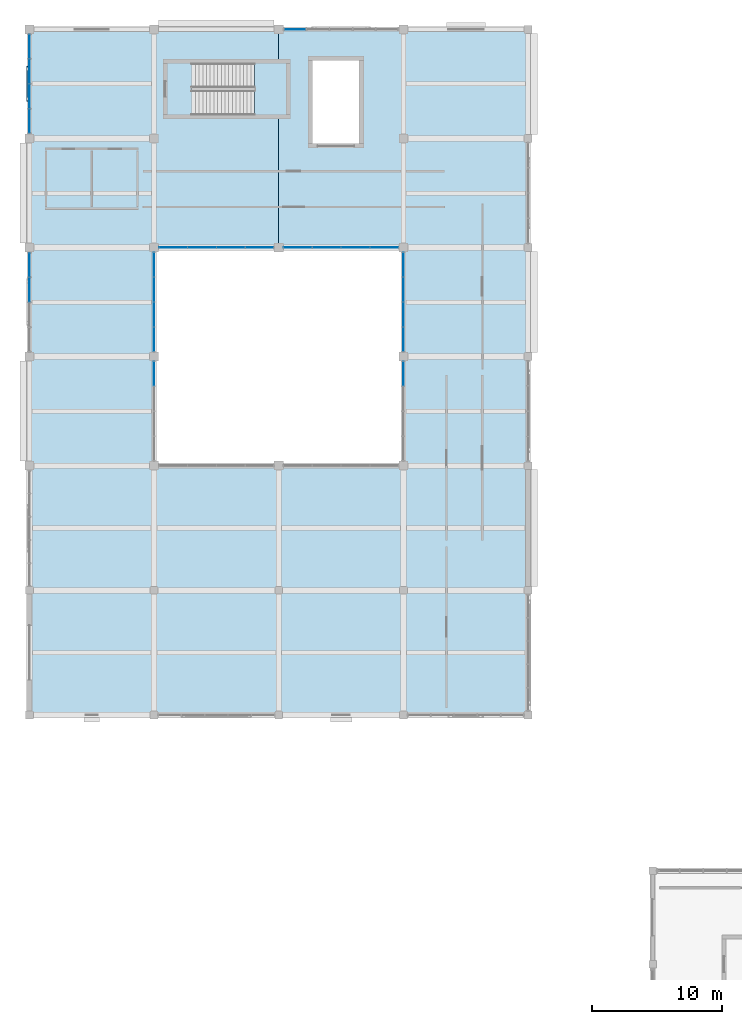
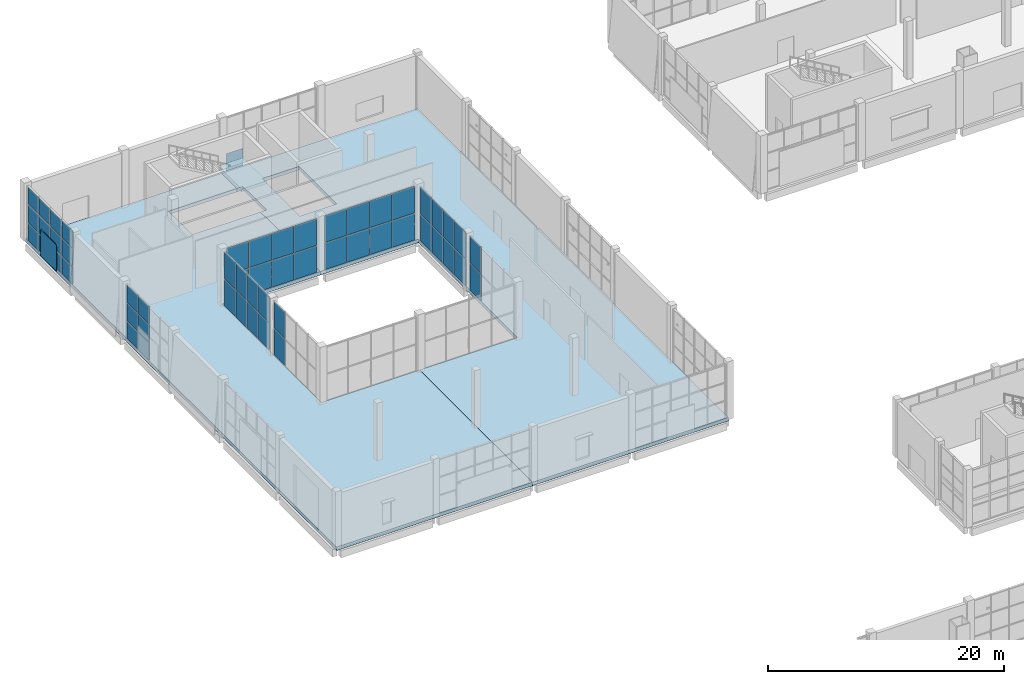
# One storey, part 47 of 84: 56 plates, 3 slabs, 10 elements without a shape of their own.
"""IFC4 building model written with IfcOpenShell, lengths in metres."""

from ifc_helpers import new_model, si_unit, direction, frame, origin, origin_2d, place, context, subcontext, project, spatial, polyline, rectangle, outline, extrude, material, layer, layer_set, type_object, element, aggregate, save


model = new_model("IFC4")

# Units and contexts
model_context = context("Model", 3, precision=1e-05, world=origin(), true_north=direction((0.0, 1.0)))
body_context = subcontext(model_context, "Body", "Model", "MODEL_VIEW")
ifc_project = project(units=[si_unit("LENGTHUNIT", "METRE"), si_unit("AREAUNIT", "SQUARE_METRE"), si_unit("VOLUMEUNIT", "CUBIC_METRE"), si_unit("PLANEANGLEUNIT", "RADIAN"), si_unit("MASSUNIT", "GRAM", prefix="KILO")], contexts=[model_context])

# Site, building, storey
site_placement = place(None, origin())
site = spatial("IfcSite", under=ifc_project, at=site_placement, CompositionType="ELEMENT")
building_placement = place(site_placement, origin())
building = spatial("IfcBuilding", under=site, at=building_placement, Name="Shalvenor Court Art Gallery", CompositionType="ELEMENT")
storey_placement = place(building_placement, origin())
storey = spatial("IfcBuildingStorey", under=building, at=storey_placement, Name="L00", CompositionType="ELEMENT", Elevation=0.0)

# Curtain wall, plate
ifc_material_1 = material(Name="Anodised aluminium and low-iron glass curtain wall", Category="aluminium")
curtain_wall_type_1 = type_object("IfcCurtainWallType", Name="CW-5x3-89-57-411", PredefinedType="USERDEFINED", material=ifc_material_1)
curtain_wall_1_placement = place(storey_placement, origin())
curtain_wall_1 = element("IfcCurtainWall", 1, at=curtain_wall_1_placement, inside=storey, type_object=curtain_wall_type_1, Name="L00 V5 Curtain Wall CW-L00-150", ObjectType="CURTAIN WALL", PredefinedType="USERDEFINED")
ifc_material_2 = material(Name="Low-iron UV-laminated double glazing IGU", Category="glass")
ifc_layer_1 = layer(ifc_material_2, 0.028076171875, Name="Low-iron UV-laminated double glazing IGU")
ifc_layer_set_1 = layer_set([ifc_layer_1], Name="Low-iron UV-laminated double glazing IGU")
plate_type_1 = type_object("IfcPlateType", Name="CWP-01", PredefinedType="CURTAIN_PANEL", material=ifc_layer_set_1)
plate_1_placement = place(storey_placement, frame((20.458740234375, 122.39990234375, 0.06005859375), z_axis=(0.0, 0.0, 1.0), x_axis=(1.0, 0.0, 0.0)))
plate_1 = element("IfcPlate", 2, at=plate_1_placement, type_object=plate_type_1, Name="CW-5x3-89-57-411 panel 1.1", PredefinedType="CURTAIN_PANEL", context=body_context, shape_type="SweptSolid", body=[
    extrude(rectangle(XDim=1.66748046875, YDim=0.028076171875, at=origin_2d()), origin(), (0.0, 0.0, 1.0), 1.80322265625),
])
aggregate(curtain_wall_1, [plate_1])

# Curtain wall, plates
ifc_material_3 = material(Name="Anodised aluminium and low-iron glass curtain wall", Category="aluminium")
curtain_wall_type_2 = type_object("IfcCurtainWallType", Name="CW-4x3-77-57-221", PredefinedType="USERDEFINED", material=ifc_material_3)
curtain_wall_2_placement = place(storey_placement, origin())
curtain_wall_2 = element("IfcCurtainWall", 3, at=curtain_wall_2_placement, inside=storey, type_object=curtain_wall_type_2, Name="L00 V5 Curtain Wall CW-L00-157", ObjectType="CURTAIN WALL", PredefinedType="USERDEFINED")
plate_2_placement = place(storey_placement, frame((0.0, 102.362548828125, 0.06494140625), z_axis=(0.0, 0.0, 1.0), x_axis=(0.0, 1.0, 0.0)))
plate_2 = element("IfcPlate", 4, at=plate_2_placement, type_object=plate_type_1, Name="CW-4x3-77-57-221 panel 3.1", PredefinedType="CURTAIN_PANEL", context=body_context, shape_type="SweptSolid", body=[
    extrude(rectangle(XDim=1.85498046875, YDim=0.028076171875, at=origin_2d()), origin(), (0.0, 0.0, 1.0), 1.7958984375),
])
plate_3_placement = place(storey_placement, frame((0.0, 102.362548828125, 1.92578125), z_axis=(0.0, 0.0, 1.0), x_axis=(0.0, 1.0, 0.0)))
plate_3 = element("IfcPlate", 5, at=plate_3_placement, type_object=plate_type_1, Name="CW-4x3-77-57-221 panel 3.2", PredefinedType="CURTAIN_PANEL", context=body_context, shape_type="SweptSolid", body=[
    extrude(rectangle(XDim=1.85498046875, YDim=0.028076171875, at=origin_2d()), origin(), (0.0, 0.0, 1.0), 1.828369140625),
])
plate_4_placement = place(storey_placement, frame((0.0, 102.362548828125, 3.819091796875), z_axis=(0.0, 0.0, 1.0), x_axis=(0.0, 1.0, 0.0)))
plate_4 = element("IfcPlate", 6, at=plate_4_placement, type_object=plate_type_1, Name="CW-4x3-77-57-221 panel 3.3", PredefinedType="CURTAIN_PANEL", context=body_context, shape_type="SweptSolid", body=[
    extrude(rectangle(XDim=1.85498046875, YDim=0.028076171875, at=origin_2d()), origin(), (0.0, 0.0, 1.0), 1.7958984375),
])
plate_5_placement = place(storey_placement, frame((0.0, 104.27001953125, 0.06494140625), z_axis=(0.0, 0.0, 1.0), x_axis=(0.0, 1.0, 0.0)))
plate_5 = element("IfcPlate", 7, at=plate_5_placement, type_object=plate_type_1, Name="CW-4x3-77-57-221 panel 4.1", PredefinedType="CURTAIN_PANEL", context=body_context, shape_type="SweptSolid", body=[
    extrude(rectangle(XDim=1.820068359375, YDim=0.028076171875, at=origin_2d()), origin(), (0.0, 0.0, 1.0), 1.7958984375),
])
plate_6_placement = place(storey_placement, frame((0.0, 104.27001953125, 1.92578125), z_axis=(0.0, 0.0, 1.0), x_axis=(0.0, 1.0, 0.0)))
plate_6 = element("IfcPlate", 8, at=plate_6_placement, type_object=plate_type_1, Name="CW-4x3-77-57-221 panel 4.2", PredefinedType="CURTAIN_PANEL", context=body_context, shape_type="SweptSolid", body=[
    extrude(rectangle(XDim=1.820068359375, YDim=0.028076171875, at=origin_2d()), origin(), (0.0, 0.0, 1.0), 1.828369140625),
])
plate_7_placement = place(storey_placement, frame((0.0, 104.27001953125, 3.819091796875), z_axis=(0.0, 0.0, 1.0), x_axis=(0.0, 1.0, 0.0)))
plate_7 = element("IfcPlate", 9, at=plate_7_placement, type_object=plate_type_1, Name="CW-4x3-77-57-221 panel 4.3", PredefinedType="CURTAIN_PANEL", context=body_context, shape_type="SweptSolid", body=[
    extrude(rectangle(XDim=1.820068359375, YDim=0.028076171875, at=origin_2d()), origin(), (0.0, 0.0, 1.0), 1.7958984375),
])
aggregate(curtain_wall_2, [plate_2, plate_3, plate_4, plate_5, plate_6, plate_7])

ifc_material_4 = material(Name="Anodised aluminium and low-iron glass curtain wall", Category="aluminium")
curtain_wall_type_3 = type_object("IfcCurtainWallType", Name="CW-4x3-77-57-441", PredefinedType="USERDEFINED", material=ifc_material_4)
curtain_wall_3_placement = place(storey_placement, origin())
curtain_wall_3 = element("IfcCurtainWall", 10, at=curtain_wall_3_placement, inside=storey, type_object=curtain_wall_type_3, Name="L00 V5 Curtain Wall CW-L00-158", ObjectType="CURTAIN WALL", PredefinedType="USERDEFINED")
plate_8_placement = place(storey_placement, frame((0.0, 115.331298828125, 0.06982421875), z_axis=(0.0, 0.0, 1.0), x_axis=(0.0, 1.0, 0.0)))
plate_8 = element("IfcPlate", 11, at=plate_8_placement, type_object=plate_type_1, Name="CW-4x3-77-57-441 panel 1.1", PredefinedType="CURTAIN_PANEL", context=body_context, shape_type="SweptSolid", body=[
    extrude(rectangle(XDim=1.8125, YDim=0.028076171875, at=origin_2d()), origin(), (0.0, 0.0, 1.0), 1.788330078125),
])
plate_9_placement = place(storey_placement, frame((0.0, 115.331298828125, 1.928466796875), z_axis=(0.0, 0.0, 1.0), x_axis=(0.0, 1.0, 0.0)))
plate_9 = element("IfcPlate", 12, at=plate_9_placement, type_object=plate_type_1, Name="CW-4x3-77-57-441 panel 1.2", PredefinedType="CURTAIN_PANEL", context=body_context, shape_type="SweptSolid", body=[
    extrude(rectangle(XDim=1.8125, YDim=0.028076171875, at=origin_2d()), origin(), (0.0, 0.0, 1.0), 1.8232421875),
])
plate_10_placement = place(storey_placement, frame((0.0, 115.331298828125, 3.82177734375), z_axis=(0.0, 0.0, 1.0), x_axis=(0.0, 1.0, 0.0)))
plate_10 = element("IfcPlate", 13, at=plate_10_placement, type_object=plate_type_1, Name="CW-4x3-77-57-441 panel 1.3", PredefinedType="CURTAIN_PANEL", context=body_context, shape_type="SweptSolid", body=[
    extrude(rectangle(XDim=1.8125, YDim=0.028076171875, at=origin_2d()), origin(), (0.0, 0.0, 1.0), 1.788330078125),
])
plate_11_placement = place(storey_placement, frame((0.0, 117.237548828125, 0.06982421875), z_axis=(0.0, 0.0, 1.0), x_axis=(0.0, 1.0, 0.0)))
plate_11 = element("IfcPlate", 14, at=plate_11_placement, type_object=plate_type_1, Name="CW-4x3-77-57-441 panel 2.1", PredefinedType="CURTAIN_PANEL", context=body_context, shape_type="SweptSolid", body=[
    extrude(rectangle(XDim=1.85009765625, YDim=0.028076171875, at=origin_2d()), origin(), (0.0, 0.0, 1.0), 1.788330078125),
])
plate_12_placement = place(storey_placement, frame((0.0, 117.237548828125, 1.928466796875), z_axis=(0.0, 0.0, 1.0), x_axis=(0.0, 1.0, 0.0)))
plate_12 = element("IfcPlate", 15, at=plate_12_placement, type_object=plate_type_1, Name="CW-4x3-77-57-441 panel 2.2", PredefinedType="CURTAIN_PANEL", context=body_context, shape_type="SweptSolid", body=[
    extrude(rectangle(XDim=1.85009765625, YDim=0.028076171875, at=origin_2d()), origin(), (0.0, 0.0, 1.0), 1.8232421875),
])
plate_13_placement = place(storey_placement, frame((0.0, 117.237548828125, 3.82177734375), z_axis=(0.0, 0.0, 1.0), x_axis=(0.0, 1.0, 0.0)))
plate_13 = element("IfcPlate", 16, at=plate_13_placement, type_object=plate_type_1, Name="CW-4x3-77-57-441 panel 2.3", PredefinedType="CURTAIN_PANEL", context=body_context, shape_type="SweptSolid", body=[
    extrude(rectangle(XDim=1.85009765625, YDim=0.028076171875, at=origin_2d()), origin(), (0.0, 0.0, 1.0), 1.788330078125),
])
plate_14_placement = place(storey_placement, frame((0.0, 119.16259765625, 0.06982421875), z_axis=(0.0, 0.0, 1.0), x_axis=(0.0, 1.0, 0.0)))
plate_14 = element("IfcPlate", 17, at=plate_14_placement, type_object=plate_type_1, Name="CW-4x3-77-57-441 panel 3.1", PredefinedType="CURTAIN_PANEL", context=body_context, shape_type="SweptSolid", body=[
    extrude(rectangle(XDim=1.85009765625, YDim=0.028076171875, at=origin_2d()), origin(), (0.0, 0.0, 1.0), 1.788330078125),
])
plate_15_placement = place(storey_placement, frame((0.0, 119.16259765625, 1.928466796875), z_axis=(0.0, 0.0, 1.0), x_axis=(0.0, 1.0, 0.0)))
plate_15 = element("IfcPlate", 18, at=plate_15_placement, type_object=plate_type_1, Name="CW-4x3-77-57-441 panel 3.2", PredefinedType="CURTAIN_PANEL", context=body_context, shape_type="SweptSolid", body=[
    extrude(rectangle(XDim=1.85009765625, YDim=0.028076171875, at=origin_2d()), origin(), (0.0, 0.0, 1.0), 1.8232421875),
])
plate_16_placement = place(storey_placement, frame((0.0, 119.16259765625, 3.82177734375), z_axis=(0.0, 0.0, 1.0), x_axis=(0.0, 1.0, 0.0)))
plate_16 = element("IfcPlate", 19, at=plate_16_placement, type_object=plate_type_1, Name="CW-4x3-77-57-441 panel 3.3", PredefinedType="CURTAIN_PANEL", context=body_context, shape_type="SweptSolid", body=[
    extrude(rectangle(XDim=1.85009765625, YDim=0.028076171875, at=origin_2d()), origin(), (0.0, 0.0, 1.0), 1.788330078125),
])
plate_17_placement = place(storey_placement, frame((0.0, 121.06884765625, 0.06982421875), z_axis=(0.0, 0.0, 1.0), x_axis=(0.0, 1.0, 0.0)))
plate_17 = element("IfcPlate", 20, at=plate_17_placement, type_object=plate_type_1, Name="CW-4x3-77-57-441 panel 4.1", PredefinedType="CURTAIN_PANEL", context=body_context, shape_type="SweptSolid", body=[
    extrude(rectangle(XDim=1.8125, YDim=0.028076171875, at=origin_2d()), origin(), (0.0, 0.0, 1.0), 1.788330078125),
])
plate_18_placement = place(storey_placement, frame((0.0, 121.06884765625, 1.928466796875), z_axis=(0.0, 0.0, 1.0), x_axis=(0.0, 1.0, 0.0)))
plate_18 = element("IfcPlate", 21, at=plate_18_placement, type_object=plate_type_1, Name="CW-4x3-77-57-441 panel 4.2", PredefinedType="CURTAIN_PANEL", context=body_context, shape_type="SweptSolid", body=[
    extrude(rectangle(XDim=1.8125, YDim=0.028076171875, at=origin_2d()), origin(), (0.0, 0.0, 1.0), 1.8232421875),
])
plate_19_placement = place(storey_placement, frame((0.0, 121.06884765625, 3.82177734375), z_axis=(0.0, 0.0, 1.0), x_axis=(0.0, 1.0, 0.0)))
plate_19 = element("IfcPlate", 22, at=plate_19_placement, type_object=plate_type_1, Name="CW-4x3-77-57-441 panel 4.3", PredefinedType="CURTAIN_PANEL", context=body_context, shape_type="SweptSolid", body=[
    extrude(rectangle(XDim=1.8125, YDim=0.028076171875, at=origin_2d()), origin(), (0.0, 0.0, 1.0), 1.788330078125),
])
aggregate(curtain_wall_3, [plate_8, plate_9, plate_10, plate_11, plate_12, plate_13, plate_14, plate_15, plate_16, plate_17, plate_18, plate_19])

ifc_material_5 = material(Name="Anodised aluminium and low-iron glass curtain wall", Category="aluminium")
curtain_wall_type_4 = type_object("IfcCurtainWallType", Name="CW-CT-4-77", PredefinedType="USERDEFINED", material=ifc_material_5)
curtain_wall_4_placement = place(storey_placement, origin())
curtain_wall_4 = element("IfcCurtainWall", 23, at=curtain_wall_4_placement, inside=storey, type_object=curtain_wall_type_4, Name="L00 Studios Courtyard Curtain Wall CW-CRT-L00-161", ObjectType="CURTAIN WALL", PredefinedType="USERDEFINED")
ifc_material_6 = material(Name="Acoustic laminated courtyard curtain glazing IGU", Category="glass")
ifc_layer_2 = layer(ifc_material_6, 0.0400390625, Name="Acoustic laminated courtyard curtain glazing IGU")
ifc_layer_set_2 = layer_set([ifc_layer_2], Name="Acoustic laminated courtyard curtain glazing IGU")
plate_type_2 = type_object("IfcPlateType", Name="CWP-05", PredefinedType="CURTAIN_PANEL", material=ifc_layer_set_2)
plate_20_placement = place(storey_placement, frame((28.800048828125, 95.873779296875, 0.06494140625), z_axis=(0.0, 0.0, 1.0), x_axis=(0.0, 1.0, 0.0)))
plate_20 = element("IfcPlate", 24, at=plate_20_placement, type_object=plate_type_2, Name="CW-CT-4-77 panel 4.1", PredefinedType="CURTAIN_PANEL", context=body_context, shape_type="SweptSolid", body=[
    extrude(rectangle(XDim=1.842529296875, YDim=0.0400390625, at=origin_2d()), origin(), (0.0, 0.0, 1.0), 2.742431640625),
])
plate_21_placement = place(storey_placement, frame((28.800048828125, 95.873779296875, 2.87255859375), z_axis=(0.0, 0.0, 1.0), x_axis=(0.0, 1.0, 0.0)))
plate_21 = element("IfcPlate", 25, at=plate_21_placement, type_object=plate_type_2, Name="CW-CT-4-77 panel 4.2", PredefinedType="CURTAIN_PANEL", context=body_context, shape_type="SweptSolid", body=[
    extrude(rectangle(XDim=1.842529296875, YDim=0.0400390625, at=origin_2d()), origin(), (0.0, 0.0, 1.0), 2.742431640625),
])
aggregate(curtain_wall_4, [plate_20, plate_21])

curtain_wall_5_placement = place(storey_placement, origin())
curtain_wall_5 = element("IfcCurtainWall", 26, at=curtain_wall_5_placement, inside=storey, type_object=curtain_wall_type_4, Name="L00 Studios Courtyard Curtain Wall CW-CRT-L00-162", ObjectType="CURTAIN WALL", PredefinedType="USERDEFINED")
plate_22_placement = place(storey_placement, frame((28.800048828125, 98.5263671875, 0.06494140625), z_axis=(0.0, 0.0, 1.0), x_axis=(0.0, 1.0, 0.0)))
plate_22 = element("IfcPlate", 27, at=plate_22_placement, type_object=plate_type_2, Name="CW-CT-4-77 panel 1.1", PredefinedType="CURTAIN_PANEL", context=body_context, shape_type="SweptSolid", body=[
    extrude(rectangle(XDim=1.842529296875, YDim=0.0400390625, at=origin_2d()), origin(), (0.0, 0.0, 1.0), 2.742431640625),
])
plate_23_placement = place(storey_placement, frame((28.800048828125, 98.5263671875, 2.87255859375), z_axis=(0.0, 0.0, 1.0), x_axis=(0.0, 1.0, 0.0)))
plate_23 = element("IfcPlate", 28, at=plate_23_placement, type_object=plate_type_2, Name="CW-CT-4-77 panel 1.2", PredefinedType="CURTAIN_PANEL", context=body_context, shape_type="SweptSolid", body=[
    extrude(rectangle(XDim=1.842529296875, YDim=0.0400390625, at=origin_2d()), origin(), (0.0, 0.0, 1.0), 2.742431640625),
])
plate_24_placement = place(storey_placement, frame((28.800048828125, 100.4375, 0.06494140625), z_axis=(0.0, 0.0, 1.0), x_axis=(0.0, 1.0, 0.0)))
plate_24 = element("IfcPlate", 29, at=plate_24_placement, type_object=plate_type_2, Name="CW-CT-4-77 panel 2.1", PredefinedType="CURTAIN_PANEL", context=body_context, shape_type="SweptSolid", body=[
    extrude(rectangle(XDim=1.8701171875, YDim=0.0400390625, at=origin_2d()), origin(), (0.0, 0.0, 1.0), 2.742431640625),
])
plate_25_placement = place(storey_placement, frame((28.800048828125, 100.4375, 2.87255859375), z_axis=(0.0, 0.0, 1.0), x_axis=(0.0, 1.0, 0.0)))
plate_25 = element("IfcPlate", 30, at=plate_25_placement, type_object=plate_type_2, Name="CW-CT-4-77 panel 2.2", PredefinedType="CURTAIN_PANEL", context=body_context, shape_type="SweptSolid", body=[
    extrude(rectangle(XDim=1.8701171875, YDim=0.0400390625, at=origin_2d()), origin(), (0.0, 0.0, 1.0), 2.742431640625),
])
plate_26_placement = place(storey_placement, frame((28.800048828125, 102.362548828125, 0.06494140625), z_axis=(0.0, 0.0, 1.0), x_axis=(0.0, 1.0, 0.0)))
plate_26 = element("IfcPlate", 31, at=plate_26_placement, type_object=plate_type_2, Name="CW-CT-4-77 panel 3.1", PredefinedType="CURTAIN_PANEL", context=body_context, shape_type="SweptSolid", body=[
    extrude(rectangle(XDim=1.8701171875, YDim=0.0400390625, at=origin_2d()), origin(), (0.0, 0.0, 1.0), 2.742431640625),
])
plate_27_placement = place(storey_placement, frame((28.800048828125, 102.362548828125, 2.87255859375), z_axis=(0.0, 0.0, 1.0), x_axis=(0.0, 1.0, 0.0)))
plate_27 = element("IfcPlate", 32, at=plate_27_placement, type_object=plate_type_2, Name="CW-CT-4-77 panel 3.2", PredefinedType="CURTAIN_PANEL", context=body_context, shape_type="SweptSolid", body=[
    extrude(rectangle(XDim=1.8701171875, YDim=0.0400390625, at=origin_2d()), origin(), (0.0, 0.0, 1.0), 2.742431640625),
])
plate_28_placement = place(storey_placement, frame((28.800048828125, 104.273681640625, 0.06494140625), z_axis=(0.0, 0.0, 1.0), x_axis=(0.0, 1.0, 0.0)))
plate_28 = element("IfcPlate", 33, at=plate_28_placement, type_object=plate_type_2, Name="CW-CT-4-77 panel 4.1", PredefinedType="CURTAIN_PANEL", context=body_context, shape_type="SweptSolid", body=[
    extrude(rectangle(XDim=1.842529296875, YDim=0.0400390625, at=origin_2d()), origin(), (0.0, 0.0, 1.0), 2.742431640625),
])
plate_29_placement = place(storey_placement, frame((28.800048828125, 104.273681640625, 2.87255859375), z_axis=(0.0, 0.0, 1.0), x_axis=(0.0, 1.0, 0.0)))
plate_29 = element("IfcPlate", 34, at=plate_29_placement, type_object=plate_type_2, Name="CW-CT-4-77 panel 4.2", PredefinedType="CURTAIN_PANEL", context=body_context, shape_type="SweptSolid", body=[
    extrude(rectangle(XDim=1.842529296875, YDim=0.0400390625, at=origin_2d()), origin(), (0.0, 0.0, 1.0), 2.742431640625),
])
aggregate(curtain_wall_5, [plate_22, plate_23, plate_24, plate_25, plate_26, plate_27, plate_28, plate_29])

ifc_material_7 = material(Name="Anodised aluminium and low-iron glass curtain wall", Category="aluminium")
curtain_wall_type_5 = type_object("IfcCurtainWallType", Name="CW-CT-4-89", PredefinedType="USERDEFINED", material=ifc_material_7)
curtain_wall_6_placement = place(storey_placement, origin())
curtain_wall_6 = element("IfcCurtainWall", 35, at=curtain_wall_6_placement, inside=storey, type_object=curtain_wall_type_5, Name="L00 Studios Courtyard Curtain Wall CW-CRT-L00-163", ObjectType="CURTAIN WALL", PredefinedType="USERDEFINED")
plate_30_placement = place(storey_placement, frame((27.32373046875, 105.60009765625, 0.06494140625), z_axis=(0.0, 0.0, 1.0), x_axis=(-1.0, 0.0, 0.0)))
plate_30 = element("IfcPlate", 36, at=plate_30_placement, type_object=plate_type_2, Name="CW-CT-4-89 panel 1.1", PredefinedType="CURTAIN_PANEL", context=body_context, shape_type="SweptSolid", body=[
    extrude(rectangle(XDim=2.142578125, YDim=0.0400390625, at=origin_2d()), origin(), (0.0, 0.0, 1.0), 2.742431640625),
])
plate_31_placement = place(storey_placement, frame((27.32373046875, 105.60009765625, 2.87255859375), z_axis=(0.0, 0.0, 1.0), x_axis=(-1.0, 0.0, 0.0)))
plate_31 = element("IfcPlate", 37, at=plate_31_placement, type_object=plate_type_2, Name="CW-CT-4-89 panel 1.2", PredefinedType="CURTAIN_PANEL", context=body_context, shape_type="SweptSolid", body=[
    extrude(rectangle(XDim=2.142578125, YDim=0.0400390625, at=origin_2d()), origin(), (0.0, 0.0, 1.0), 2.742431640625),
])
plate_32_placement = place(storey_placement, frame((25.112548828125, 105.60009765625, 0.06494140625), z_axis=(0.0, 0.0, 1.0), x_axis=(-1.0, 0.0, 0.0)))
plate_32 = element("IfcPlate", 38, at=plate_32_placement, type_object=plate_type_2, Name="CW-CT-4-89 panel 2.1", PredefinedType="CURTAIN_PANEL", context=body_context, shape_type="SweptSolid", body=[
    extrude(rectangle(XDim=2.169921875, YDim=0.0400390625, at=origin_2d()), origin(), (0.0, 0.0, 1.0), 2.742431640625),
])
plate_33_placement = place(storey_placement, frame((25.112548828125, 105.60009765625, 2.87255859375), z_axis=(0.0, 0.0, 1.0), x_axis=(-1.0, 0.0, 0.0)))
plate_33 = element("IfcPlate", 39, at=plate_33_placement, type_object=plate_type_2, Name="CW-CT-4-89 panel 2.2", PredefinedType="CURTAIN_PANEL", context=body_context, shape_type="SweptSolid", body=[
    extrude(rectangle(XDim=2.169921875, YDim=0.0400390625, at=origin_2d()), origin(), (0.0, 0.0, 1.0), 2.742431640625),
])
plate_34_placement = place(storey_placement, frame((22.887451171875, 105.60009765625, 0.06494140625), z_axis=(0.0, 0.0, 1.0), x_axis=(-1.0, 0.0, 0.0)))
plate_34 = element("IfcPlate", 40, at=plate_34_placement, type_object=plate_type_2, Name="CW-CT-4-89 panel 3.1", PredefinedType="CURTAIN_PANEL", context=body_context, shape_type="SweptSolid", body=[
    extrude(rectangle(XDim=2.169921875, YDim=0.0400390625, at=origin_2d()), origin(), (0.0, 0.0, 1.0), 2.742431640625),
])
plate_35_placement = place(storey_placement, frame((22.887451171875, 105.60009765625, 2.87255859375), z_axis=(0.0, 0.0, 1.0), x_axis=(-1.0, 0.0, 0.0)))
plate_35 = element("IfcPlate", 41, at=plate_35_placement, type_object=plate_type_2, Name="CW-CT-4-89 panel 3.2", PredefinedType="CURTAIN_PANEL", context=body_context, shape_type="SweptSolid", body=[
    extrude(rectangle(XDim=2.169921875, YDim=0.0400390625, at=origin_2d()), origin(), (0.0, 0.0, 1.0), 2.742431640625),
])
plate_36_placement = place(storey_placement, frame((20.67626953125, 105.60009765625, 0.06494140625), z_axis=(0.0, 0.0, 1.0), x_axis=(-1.0, 0.0, 0.0)))
plate_36 = element("IfcPlate", 42, at=plate_36_placement, type_object=plate_type_2, Name="CW-CT-4-89 panel 4.1", PredefinedType="CURTAIN_PANEL", context=body_context, shape_type="SweptSolid", body=[
    extrude(rectangle(XDim=2.142578125, YDim=0.0400390625, at=origin_2d()), origin(), (0.0, 0.0, 1.0), 2.742431640625),
])
plate_37_placement = place(storey_placement, frame((20.67626953125, 105.60009765625, 2.87255859375), z_axis=(0.0, 0.0, 1.0), x_axis=(-1.0, 0.0, 0.0)))
plate_37 = element("IfcPlate", 43, at=plate_37_placement, type_object=plate_type_2, Name="CW-CT-4-89 panel 4.2", PredefinedType="CURTAIN_PANEL", context=body_context, shape_type="SweptSolid", body=[
    extrude(rectangle(XDim=2.142578125, YDim=0.0400390625, at=origin_2d()), origin(), (0.0, 0.0, 1.0), 2.742431640625),
])
aggregate(curtain_wall_6, [plate_30, plate_31, plate_32, plate_33, plate_34, plate_35, plate_36, plate_37])

curtain_wall_7_placement = place(storey_placement, origin())
curtain_wall_7 = element("IfcCurtainWall", 44, at=curtain_wall_7_placement, inside=storey, type_object=curtain_wall_type_5, Name="L00 Studios Courtyard Curtain Wall CW-CRT-L00-164", ObjectType="CURTAIN WALL", PredefinedType="USERDEFINED")
plate_38_placement = place(storey_placement, frame((17.7236328125, 105.60009765625, 0.06494140625), z_axis=(0.0, 0.0, 1.0), x_axis=(-1.0, 0.0, 0.0)))
plate_38 = element("IfcPlate", 45, at=plate_38_placement, type_object=plate_type_2, Name="CW-CT-4-89 panel 1.1", PredefinedType="CURTAIN_PANEL", context=body_context, shape_type="SweptSolid", body=[
    extrude(rectangle(XDim=2.142578125, YDim=0.0400390625, at=origin_2d()), origin(), (0.0, 0.0, 1.0), 2.742431640625),
])
plate_39_placement = place(storey_placement, frame((17.7236328125, 105.60009765625, 2.87255859375), z_axis=(0.0, 0.0, 1.0), x_axis=(-1.0, 0.0, 0.0)))
plate_39 = element("IfcPlate", 46, at=plate_39_placement, type_object=plate_type_2, Name="CW-CT-4-89 panel 1.2", PredefinedType="CURTAIN_PANEL", context=body_context, shape_type="SweptSolid", body=[
    extrude(rectangle(XDim=2.142578125, YDim=0.0400390625, at=origin_2d()), origin(), (0.0, 0.0, 1.0), 2.742431640625),
])
plate_40_placement = place(storey_placement, frame((15.512451171875, 105.60009765625, 0.06494140625), z_axis=(0.0, 0.0, 1.0), x_axis=(-1.0, 0.0, 0.0)))
plate_40 = element("IfcPlate", 47, at=plate_40_placement, type_object=plate_type_2, Name="CW-CT-4-89 panel 2.1", PredefinedType="CURTAIN_PANEL", context=body_context, shape_type="SweptSolid", body=[
    extrude(rectangle(XDim=2.169921875, YDim=0.0400390625, at=origin_2d()), origin(), (0.0, 0.0, 1.0), 2.742431640625),
])
plate_41_placement = place(storey_placement, frame((15.512451171875, 105.60009765625, 2.87255859375), z_axis=(0.0, 0.0, 1.0), x_axis=(-1.0, 0.0, 0.0)))
plate_41 = element("IfcPlate", 48, at=plate_41_placement, type_object=plate_type_2, Name="CW-CT-4-89 panel 2.2", PredefinedType="CURTAIN_PANEL", context=body_context, shape_type="SweptSolid", body=[
    extrude(rectangle(XDim=2.169921875, YDim=0.0400390625, at=origin_2d()), origin(), (0.0, 0.0, 1.0), 2.742431640625),
])
plate_42_placement = place(storey_placement, frame((13.28759765625, 105.60009765625, 0.06494140625), z_axis=(0.0, 0.0, 1.0), x_axis=(-1.0, 0.0, 0.0)))
plate_42 = element("IfcPlate", 49, at=plate_42_placement, type_object=plate_type_2, Name="CW-CT-4-89 panel 3.1", PredefinedType="CURTAIN_PANEL", context=body_context, shape_type="SweptSolid", body=[
    extrude(rectangle(XDim=2.169921875, YDim=0.0400390625, at=origin_2d()), origin(), (0.0, 0.0, 1.0), 2.742431640625),
])
plate_43_placement = place(storey_placement, frame((13.28759765625, 105.60009765625, 2.87255859375), z_axis=(0.0, 0.0, 1.0), x_axis=(-1.0, 0.0, 0.0)))
plate_43 = element("IfcPlate", 50, at=plate_43_placement, type_object=plate_type_2, Name="CW-CT-4-89 panel 3.2", PredefinedType="CURTAIN_PANEL", context=body_context, shape_type="SweptSolid", body=[
    extrude(rectangle(XDim=2.169921875, YDim=0.0400390625, at=origin_2d()), origin(), (0.0, 0.0, 1.0), 2.742431640625),
])
plate_44_placement = place(storey_placement, frame((11.076171875, 105.60009765625, 0.06494140625), z_axis=(0.0, 0.0, 1.0), x_axis=(-1.0, 0.0, 0.0)))
plate_44 = element("IfcPlate", 51, at=plate_44_placement, type_object=plate_type_2, Name="CW-CT-4-89 panel 4.1", PredefinedType="CURTAIN_PANEL", context=body_context, shape_type="SweptSolid", body=[
    extrude(rectangle(XDim=2.142578125, YDim=0.0400390625, at=origin_2d()), origin(), (0.0, 0.0, 1.0), 2.742431640625),
])
plate_45_placement = place(storey_placement, frame((11.076171875, 105.60009765625, 2.87255859375), z_axis=(0.0, 0.0, 1.0), x_axis=(-1.0, 0.0, 0.0)))
plate_45 = element("IfcPlate", 52, at=plate_45_placement, type_object=plate_type_2, Name="CW-CT-4-89 panel 4.2", PredefinedType="CURTAIN_PANEL", context=body_context, shape_type="SweptSolid", body=[
    extrude(rectangle(XDim=2.142578125, YDim=0.0400390625, at=origin_2d()), origin(), (0.0, 0.0, 1.0), 2.742431640625),
])
aggregate(curtain_wall_7, [plate_38, plate_39, plate_40, plate_41, plate_42, plate_43, plate_44, plate_45])

curtain_wall_8_placement = place(storey_placement, origin())
curtain_wall_8 = element("IfcCurtainWall", 53, at=curtain_wall_8_placement, inside=storey, type_object=curtain_wall_type_4, Name="L00 Studios Courtyard Curtain Wall CW-CRT-L00-165", ObjectType="CURTAIN WALL", PredefinedType="USERDEFINED")
plate_46_placement = place(storey_placement, frame((9.60009765625, 104.273681640625, 0.06494140625), z_axis=(0.0, 0.0, 1.0), x_axis=(0.0, -1.0, 0.0)))
plate_46 = element("IfcPlate", 54, at=plate_46_placement, type_object=plate_type_2, Name="CW-CT-4-77 panel 1.1", PredefinedType="CURTAIN_PANEL", context=body_context, shape_type="SweptSolid", body=[
    extrude(rectangle(XDim=1.842529296875, YDim=0.0400390625, at=origin_2d()), origin(), (0.0, 0.0, 1.0), 2.742431640625),
])
plate_47_placement = place(storey_placement, frame((9.60009765625, 104.273681640625, 2.87255859375), z_axis=(0.0, 0.0, 1.0), x_axis=(0.0, -1.0, 0.0)))
plate_47 = element("IfcPlate", 55, at=plate_47_placement, type_object=plate_type_2, Name="CW-CT-4-77 panel 1.2", PredefinedType="CURTAIN_PANEL", context=body_context, shape_type="SweptSolid", body=[
    extrude(rectangle(XDim=1.842529296875, YDim=0.0400390625, at=origin_2d()), origin(), (0.0, 0.0, 1.0), 2.742431640625),
])
plate_48_placement = place(storey_placement, frame((9.60009765625, 102.362548828125, 0.06494140625), z_axis=(0.0, 0.0, 1.0), x_axis=(0.0, -1.0, 0.0)))
plate_48 = element("IfcPlate", 56, at=plate_48_placement, type_object=plate_type_2, Name="CW-CT-4-77 panel 2.1", PredefinedType="CURTAIN_PANEL", context=body_context, shape_type="SweptSolid", body=[
    extrude(rectangle(XDim=1.8701171875, YDim=0.0400390625, at=origin_2d()), origin(), (0.0, 0.0, 1.0), 2.742431640625),
])
plate_49_placement = place(storey_placement, frame((9.60009765625, 102.362548828125, 2.87255859375), z_axis=(0.0, 0.0, 1.0), x_axis=(0.0, -1.0, 0.0)))
plate_49 = element("IfcPlate", 57, at=plate_49_placement, type_object=plate_type_2, Name="CW-CT-4-77 panel 2.2", PredefinedType="CURTAIN_PANEL", context=body_context, shape_type="SweptSolid", body=[
    extrude(rectangle(XDim=1.8701171875, YDim=0.0400390625, at=origin_2d()), origin(), (0.0, 0.0, 1.0), 2.742431640625),
])
plate_50_placement = place(storey_placement, frame((9.60009765625, 100.4375, 0.06494140625), z_axis=(0.0, 0.0, 1.0), x_axis=(0.0, -1.0, 0.0)))
plate_50 = element("IfcPlate", 58, at=plate_50_placement, type_object=plate_type_2, Name="CW-CT-4-77 panel 3.1", PredefinedType="CURTAIN_PANEL", context=body_context, shape_type="SweptSolid", body=[
    extrude(rectangle(XDim=1.8701171875, YDim=0.0400390625, at=origin_2d()), origin(), (0.0, 0.0, 1.0), 2.742431640625),
])
plate_51_placement = place(storey_placement, frame((9.60009765625, 100.4375, 2.87255859375), z_axis=(0.0, 0.0, 1.0), x_axis=(0.0, -1.0, 0.0)))
plate_51 = element("IfcPlate", 59, at=plate_51_placement, type_object=plate_type_2, Name="CW-CT-4-77 panel 3.2", PredefinedType="CURTAIN_PANEL", context=body_context, shape_type="SweptSolid", body=[
    extrude(rectangle(XDim=1.8701171875, YDim=0.0400390625, at=origin_2d()), origin(), (0.0, 0.0, 1.0), 2.742431640625),
])
plate_52_placement = place(storey_placement, frame((9.60009765625, 98.5263671875, 0.06494140625), z_axis=(0.0, 0.0, 1.0), x_axis=(0.0, -1.0, 0.0)))
plate_52 = element("IfcPlate", 60, at=plate_52_placement, type_object=plate_type_2, Name="CW-CT-4-77 panel 4.1", PredefinedType="CURTAIN_PANEL", context=body_context, shape_type="SweptSolid", body=[
    extrude(rectangle(XDim=1.842529296875, YDim=0.0400390625, at=origin_2d()), origin(), (0.0, 0.0, 1.0), 2.742431640625),
])
plate_53_placement = place(storey_placement, frame((9.60009765625, 98.5263671875, 2.87255859375), z_axis=(0.0, 0.0, 1.0), x_axis=(0.0, -1.0, 0.0)))
plate_53 = element("IfcPlate", 61, at=plate_53_placement, type_object=plate_type_2, Name="CW-CT-4-77 panel 4.2", PredefinedType="CURTAIN_PANEL", context=body_context, shape_type="SweptSolid", body=[
    extrude(rectangle(XDim=1.842529296875, YDim=0.0400390625, at=origin_2d()), origin(), (0.0, 0.0, 1.0), 2.742431640625),
])
aggregate(curtain_wall_8, [plate_46, plate_47, plate_48, plate_49, plate_50, plate_51, plate_52, plate_53])

curtain_wall_9_placement = place(storey_placement, origin())
curtain_wall_9 = element("IfcCurtainWall", 62, at=curtain_wall_9_placement, inside=storey, type_object=curtain_wall_type_4, Name="L00 Studios Courtyard Curtain Wall CW-CRT-L00-166", ObjectType="CURTAIN WALL", PredefinedType="USERDEFINED")
plate_54_placement = place(storey_placement, frame((9.60009765625, 95.873779296875, 0.06494140625), z_axis=(0.0, 0.0, 1.0), x_axis=(0.0, -1.0, 0.0)))
plate_54 = element("IfcPlate", 63, at=plate_54_placement, type_object=plate_type_2, Name="CW-CT-4-77 panel 1.1", PredefinedType="CURTAIN_PANEL", context=body_context, shape_type="SweptSolid", body=[
    extrude(rectangle(XDim=1.842529296875, YDim=0.0400390625, at=origin_2d()), origin(), (0.0, 0.0, 1.0), 2.742431640625),
])
plate_55_placement = place(storey_placement, frame((9.60009765625, 95.873779296875, 2.87255859375), z_axis=(0.0, 0.0, 1.0), x_axis=(0.0, -1.0, 0.0)))
plate_55 = element("IfcPlate", 64, at=plate_55_placement, type_object=plate_type_2, Name="CW-CT-4-77 panel 1.2", PredefinedType="CURTAIN_PANEL", context=body_context, shape_type="SweptSolid", body=[
    extrude(rectangle(XDim=1.842529296875, YDim=0.0400390625, at=origin_2d()), origin(), (0.0, 0.0, 1.0), 2.742431640625),
])
aggregate(curtain_wall_9, [plate_54, plate_55])

# Slabs
ifc_material_8 = material(Name="Concrete C40/50", Category="concrete")
ifc_layer_3 = layer(ifc_material_8, 0.360107421875, Name="Concrete C40/50")
ifc_layer_set_3 = layer_set([ifc_layer_3], Name="Concrete C40/50")
slab_type_1 = type_object("IfcSlabType", Name="FS-360", PredefinedType="FLOOR", material=ifc_layer_set_3)
slab_1_placement = place(storey_placement, frame((0.0, 0.0, -0.360107421875)))
element("IfcSlab", 65, at=slab_1_placement, inside=storey, type_object=slab_type_1, Name="L00 V5 Floor Slab 1", PredefinedType="FLOOR", context=body_context, shape_type="SweptSolid", body=[
    extrude(outline(polyline([(0.0, 69.60009765625), (0.0, 122.39990234375), (19.199951171875, 122.39990234375), (19.199951171875, 119.800048828125), (12.510986328125, 119.800048828125), (12.510986328125, 115.800048828125), (19.199951171875, 115.800048828125), (19.199951171875, 105.60009765625), (9.60009765625, 105.60009765625), (9.60009765625, 88.800048828125), (19.199951171875, 88.800048828125), (19.199951171875, 69.60009765625), (0.0, 69.60009765625)])), origin(), (0.0, 0.0, 1.0), 0.360107421875),
])
slab_2_placement = place(storey_placement, frame((0.0, 0.0, -0.360107421875)))
element("IfcSlab", 66, at=slab_2_placement, inside=storey, type_object=slab_type_1, Name="L00 V5 Floor Slab 2", PredefinedType="FLOOR", context=body_context, shape_type="SweptSolid", body=[
    extrude(outline(polyline([(38.39990234375, 69.60009765625), (19.199951171875, 69.60009765625), (19.199951171875, 88.800048828125), (28.800048828125, 88.800048828125), (28.800048828125, 105.60009765625), (19.199951171875, 105.60009765625), (19.199951171875, 115.800048828125), (19.800048828125, 115.800048828125), (19.800048828125, 119.800048828125), (19.199951171875, 119.800048828125), (19.199951171875, 122.39990234375), (38.39990234375, 122.39990234375), (38.39990234375, 69.60009765625)]), holes=[polyline([(21.800048828125, 120.0), (21.800048828125, 113.60009765625), (25.39990234375, 113.60009765625), (25.39990234375, 120.0), (21.800048828125, 120.0)])]), origin(), (0.0, 0.0, 1.0), 0.360107421875),
])

# Plate
ifc_material_9 = material(Name="Perforated pale limestone GRC lattice", Category="masonry")
ifc_layer_4 = layer(ifc_material_9, 0.0849609375, Name="Perforated pale limestone GRC lattice")
ifc_layer_set_4 = layer_set([ifc_layer_4], Name="Perforated pale limestone GRC lattice")
plate_type_3 = type_object("IfcPlateType", Name="SCR-13", PredefinedType="USERDEFINED", material=ifc_layer_set_4)
plate_56_placement = place(storey_placement, frame((-0.150390625, 118.199951171875, 0.0), z_axis=(0.0, 0.0, 1.0), x_axis=(0.0, 1.0, 0.0)))
element("IfcPlate", 67, at=plate_56_placement, inside=storey, type_object=plate_type_3, Name="L00 V5 Perforated Stone Lattice Screen PLT-SCR-0143", ObjectType="SCREEN", PredefinedType="USERDEFINED", context=body_context, shape_type="SweptSolid", body=[
    extrude(rectangle(XDim=2.699951171875, YDim=0.0849609375, at=origin_2d()), origin(), (0.0, 0.0, 1.0), 2.699951171875),
])

# Stair, slab
ifc_material_10 = material(Name="Concrete C40/50", Category="concrete")
stair_type = type_object("IfcStairType", Name="ST-DL-36R-1900", PredefinedType="HALF_TURN_STAIR", material=ifc_material_10)
stair_placement = place(storey_placement, origin())
stair = element("IfcStair", 68, at=stair_placement, inside=storey, type_object=stair_type, Name="L00 Core Dogleg Stair ST-06", PredefinedType="HALF_TURN_STAIR")
ifc_material_11 = material(Name="Concrete C40/50", Category="concrete")
ifc_layer_5 = layer(ifc_material_11, 0.300048828125, Name="Concrete C40/50")
ifc_layer_set_5 = layer_set([ifc_layer_5], Name="Concrete C40/50")
slab_type_2 = type_object("IfcSlabType", Name="SLD-300", PredefinedType="LANDING", material=ifc_layer_set_5)
slab_3_placement = place(storey_placement, frame((0.0, 0.0, 2.699951171875)))
slab_3 = element("IfcSlab", 69, at=slab_3_placement, type_object=slab_type_2, Name="ST-DL-36R-1900 landing 1", PredefinedType="LANDING", context=body_context, shape_type="SweptSolid", body=[
    extrude(outline(polyline([(17.344970703125, 115.800048828125), (19.800048828125, 115.800048828125), (19.800048828125, 119.800048828125), (17.344970703125, 119.800048828125), (17.344970703125, 115.800048828125)])), origin(), (0.0, 0.0, 1.0), 0.300048828125),
])
aggregate(stair, [slab_3])

save(model, "model.ifc")
